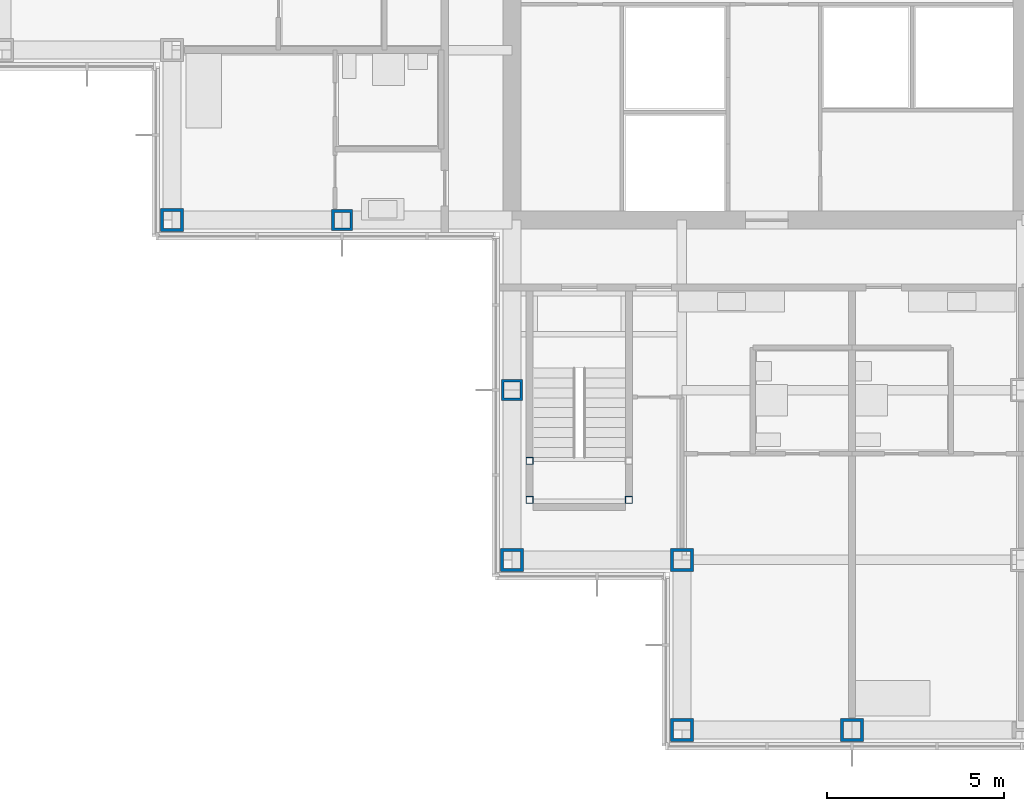
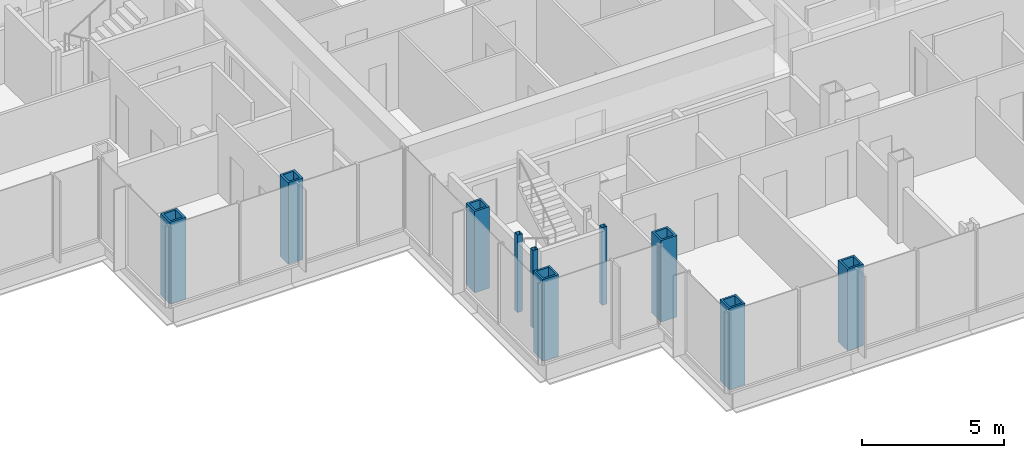
# One storey, part 1 of 19: 10 columns.
"""IFC4 building model written with IfcOpenShell, lengths in metres."""

from ifc_helpers import new_model, si_unit, direction, frame, origin, origin_2d, place, context, subcontext, project, spatial, hollow_rectangle, extrude, material, material_profile, profile_set, type_object, element, save


model = new_model("IFC4")

# Units and contexts
model_context = context("Model", 3, precision=1e-05, world=origin(), true_north=direction((0.0, 1.0)))
body_context = subcontext(model_context, "Body", "Model", "MODEL_VIEW")
ifc_project = project(units=[si_unit("LENGTHUNIT", "METRE"), si_unit("AREAUNIT", "SQUARE_METRE"), si_unit("VOLUMEUNIT", "CUBIC_METRE"), si_unit("PLANEANGLEUNIT", "RADIAN"), si_unit("MASSUNIT", "GRAM", prefix="KILO")], contexts=[model_context])

# Site, building, storey
site_placement = place(None, origin())
site = spatial("IfcSite", under=ifc_project, at=site_placement, CompositionType="ELEMENT")
building_placement = place(site_placement, origin())
building = spatial("IfcBuilding", under=site, at=building_placement, Name="Kvirike Care Tower", CompositionType="ELEMENT")
storey_placement = place(building_placement, frame((0.0, 0.0, 98.0)))
storey = spatial("IfcBuildingStorey", under=building, at=storey_placement, Name="L26", CompositionType="ELEMENT", Elevation=98.0)

# Columns
ifc_material_1 = material(Name="Steel S460", Category="steel")
ifc_material_profile_1 = material_profile(ifc_material_1, hollow_rectangle(XDim=0.60009765625, YDim=0.60009765625, WallThickness=0.080078125, at=origin_2d()), Name="BX 600x600x80")
ifc_profile_set_1 = profile_set([ifc_material_profile_1], Name="Steel S460")
column_type_1 = type_object("IfcColumnType", Name="COLUMN BX 600x600x80", PredefinedType="COLUMN", material=ifc_profile_set_1)
for number, where, z_axis, x_axis, name in (
    (1, (9.60009765625, 28.800048828125, 0.0), (0.0, 0.0, 1.0), (0.0, 1.0, 0.0), "Column G5 L26"),
    (2, (14.39990234375, 24.0, 0.0), (0.0, 0.0, 1.0), (1.0, 0.0, 0.0), "Column F6 L26"),
):
    element("IfcColumn", number, at=place(storey_placement, frame(where, z_axis=z_axis, x_axis=x_axis)), inside=storey, type_object=column_type_1, Name=name, PredefinedType="COLUMN", context=body_context, shape_type="SweptSolid", body=[
        extrude(hollow_rectangle(XDim=0.60009765625, YDim=0.60009765625, WallThickness=0.080078125, at=origin_2d()), origin(), (0.0, 0.0, 1.0), 3.5),
    ])
ifc_material_2 = material(Name="Steel S460", Category="steel")
ifc_material_profile_2 = material_profile(ifc_material_2, hollow_rectangle(XDim=0.64990234375, YDim=0.64990234375, WallThickness=0.080078125, at=origin_2d()), Name="BX 650x650x80")
ifc_profile_set_2 = profile_set([ifc_material_profile_2], Name="Steel S460")
column_type_2 = type_object("IfcColumnType", Name="COLUMN BX 650x650x80", PredefinedType="COLUMN", material=ifc_profile_set_2)
for number, where, z_axis, x_axis, name in (
    (3, (4.800048828125, 28.800048828125, 0.0), (0.0, 0.0, 1.0), (0.0, 1.0, 0.0), "Column G4 L26"),
    (4, (14.39990234375, 19.199951171875, 0.0), (0.0, 0.0, 1.0), (0.0, 1.0, 0.0), "Column E6 L26"),
    (5, (19.199951171875, 14.39990234375, 0.0), (0.0, 0.0, 1.0), (0.0, 1.0, 0.0), "Column D7 L26"),
    (6, (19.199951171875, 19.199951171875, 0.0), (0.0, 0.0, 1.0), (0.0, 1.0, 0.0), "Column E7 L26"),
    (7, (24.0, 14.39990234375, 0.0), (0.0, 0.0, 1.0), (0.0, 1.0, 0.0), "Column D8 L26"),
):
    element("IfcColumn", number, at=place(storey_placement, frame(where, z_axis=z_axis, x_axis=x_axis)), inside=storey, type_object=column_type_2, Name=name, PredefinedType="COLUMN", context=body_context, shape_type="SweptSolid", body=[
        extrude(hollow_rectangle(XDim=0.64990234375, YDim=0.64990234375, WallThickness=0.080078125, at=origin_2d()), origin(), (0.0, 0.0, 1.0), 3.5),
    ])
ifc_material_3 = material(Name="Steel S460", Category="steel")
ifc_material_profile_3 = material_profile(ifc_material_3, hollow_rectangle(XDim=0.199951171875, YDim=0.199951171875, WallThickness=0.008056640625, at=origin_2d()), Name="SHS 200x200x8")
ifc_profile_set_3 = profile_set([ifc_material_profile_3], Name="Steel S460")
column_type_3 = type_object("IfcColumnType", Name="STAIR POST SHS 200x200x8", PredefinedType="COLUMN", material=ifc_profile_set_3)
for number, where, z_axis, x_axis, name in (
    (8, (14.89990234375, 20.89990234375, 0.0), (0.0, 0.0, 1.0), (1.0, 0.0, 0.0), "Stair 5 post 1 L26"),
    (9, (17.699951171875, 20.89990234375, 0.0), (0.0, 0.0, 1.0), (1.0, 0.0, 0.0), "Stair 5 post 2 L26"),
    (10, (14.89990234375, 22.0, 0.0), (0.0, 0.0, 1.0), (1.0, 0.0, 0.0), "Stair 5 post 3 L26"),
):
    element("IfcColumn", number, at=place(storey_placement, frame(where, z_axis=z_axis, x_axis=x_axis)), inside=storey, type_object=column_type_3, Name=name, PredefinedType="COLUMN", context=body_context, shape_type="SweptSolid", body=[
        extrude(hollow_rectangle(XDim=0.199951171875, YDim=0.199951171875, WallThickness=0.008056640625, at=origin_2d()), origin(), (0.0, 0.0, 1.0), 3.330078125),
    ])

save(model, "model.ifc")
